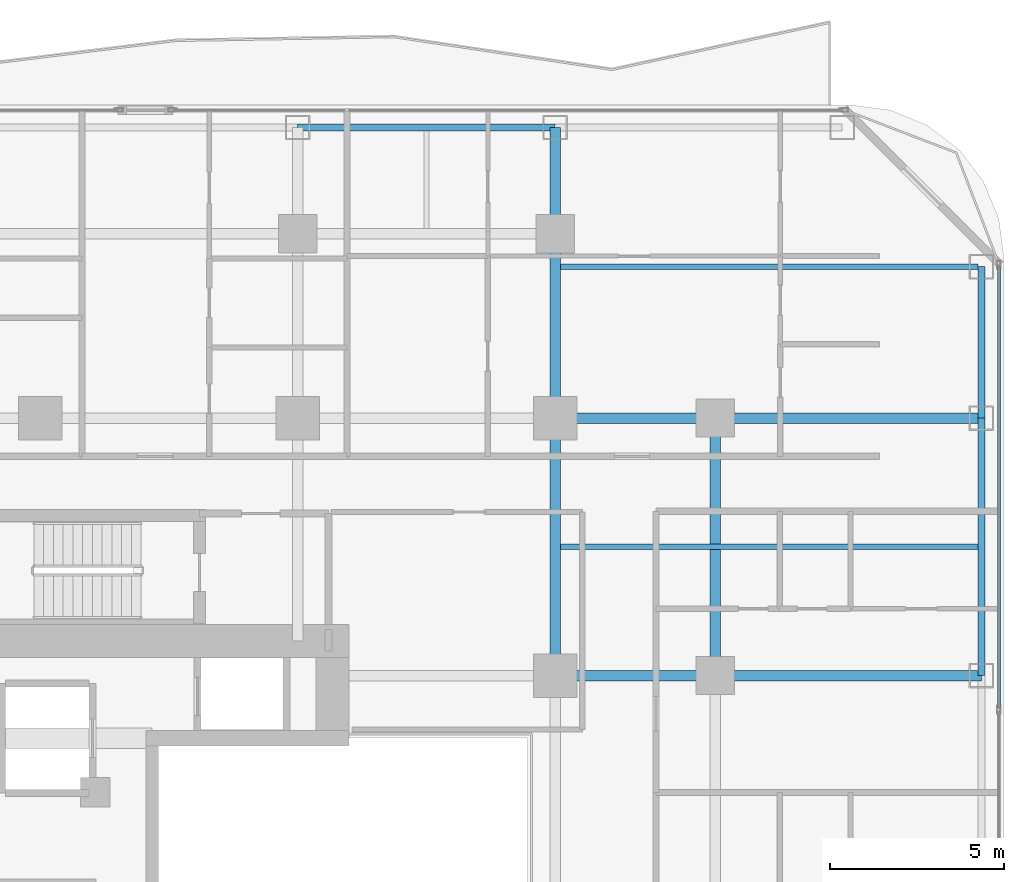
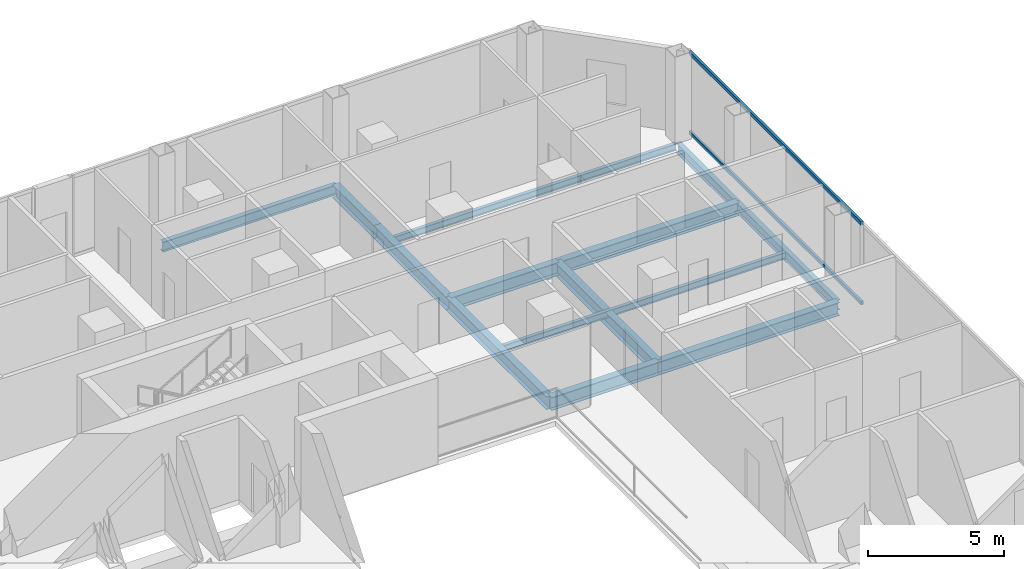
# One storey, part 16 of 29: 13 beams, 2 members, 1 element without a shape of its own.
"""IFC4 building model written with IfcOpenShell, lengths in metres."""

import ifcopenshell
import ifcopenshell.guid

model = None  # the IFC model being written
_history = None  # IfcOwnerHistory: only IFC2X3 demands one
_inside = {}  # id of a spatial element -> (the spatial element, [elements in it])
_under = {}  # id of a project, library or spatial element -> (it, [spatial elements below it])
_declared = {}  # id of a project -> (the project, [libraries it declares])
_typed = {}  # id of a type object -> (the type object, [elements of that type])
_made_of = {}  # id of a material, layer set ... -> (it, [elements and type objects made of it])


def new_model(schema):
    """Start an empty IFC model of exactly this schema.

    Asked for "IFC4X3", IfcOpenShell would pick the latest addendum, in which some entities
    have other attributes; the version numbers below select the first issue.
    IFC2X3 requires an IfcOwnerHistory on every rooted entity: one is made here for all.
    """
    global model, _history
    if schema == "IFC4X3":
        model = ifcopenshell.file(schema_version=(4, 3, 0, 0))
    else:
        model = ifcopenshell.file(schema=schema)
    _inside.clear()
    _under.clear()
    _declared.clear()
    _typed.clear()
    _made_of.clear()
    _history = None
    if model.schema == "IFC2X3":
        org = make("IfcOrganization", Name="unknown")
        user = make(
            "IfcPersonAndOrganization",
            ThePerson=make("IfcPerson", FamilyName="unknown"),
            TheOrganization=org,
        )
        app = make(
            "IfcApplication",
            ApplicationDeveloper=org,
            Version="unknown",
            ApplicationFullName="unknown",
            ApplicationIdentifier="unknown",
        )
        _history = make(
            "IfcOwnerHistory",
            OwningUser=user,
            OwningApplication=app,
            ChangeAction="ADDED",
            CreationDate=0,
        )
    return model


def make(cls, **values):
    """One entity of the class cls with the attributes given. An attribute that is None is left unset."""
    return model.create_entity(
        cls, **{name: value for name, value in values.items() if value is not None}
    )


def rooted(cls, **values):
    """An entity with a GlobalId (a new one), such as an element, a storey or a relation."""
    return make(cls, GlobalId=ifcopenshell.guid.new(), OwnerHistory=_history, **values)


def si_unit(unit_type, name, prefix=None):
    """IfcSIUnit, for example si_unit("LENGTHUNIT", "METRE", prefix="MILLI")."""
    return make("IfcSIUnit", UnitType=unit_type, Prefix=prefix, Name=name)


def assignment(units):
    """IfcUnitAssignment: the units of a project."""
    return None if units is None else make("IfcUnitAssignment", Units=units)


def point(xyz):
    """IfcCartesianPoint."""
    return None if xyz is None else make("IfcCartesianPoint", Coordinates=xyz)


def direction(xyz):
    """IfcDirection."""
    return None if xyz is None else make("IfcDirection", DirectionRatios=xyz)


def frame(location, z_axis=None, x_axis=None):
    """IfcAxis2Placement3D, a coordinate frame: its origin and axes. An axis left out is left unset."""
    return make(
        "IfcAxis2Placement3D",
        Location=point(location),
        Axis=direction(z_axis),
        RefDirection=direction(x_axis),
    )


def frame_2d(location, x_axis=None):
    """IfcAxis2Placement2D, a coordinate frame in the plane: its origin and x axis."""
    return make(
        "IfcAxis2Placement2D", Location=point(location), RefDirection=direction(x_axis)
    )


def origin():
    """The frame at (0, 0, 0) with its axes left unset."""
    return frame((0.0, 0.0, 0.0))


def origin_2d():
    """The frame at (0, 0) in the plane with its x axis left unset."""
    return frame_2d((0.0, 0.0))


def place(relative_to, where):
    """IfcLocalPlacement: puts the frame where relative to a parent placement (None: the world)."""
    return make(
        "IfcLocalPlacement", PlacementRelTo=relative_to, RelativePlacement=where
    )


def context(
    kind, dimensions, precision=None, world=None, true_north=None, identifier=None
):
    """IfcGeometricRepresentationContext, for example the 3D "Model" context."""
    return make(
        "IfcGeometricRepresentationContext",
        ContextIdentifier=identifier,
        ContextType=kind,
        CoordinateSpaceDimension=dimensions,
        Precision=precision,
        WorldCoordinateSystem=world,
        TrueNorth=true_north,
    )


def subcontext(parent, identifier, kind, view, scale=None):
    """IfcGeometricRepresentationSubContext, for example "Body" below "Model"."""
    return make(
        "IfcGeometricRepresentationSubContext",
        ContextIdentifier=identifier,
        ContextType=kind,
        ParentContext=parent,
        TargetScale=scale,
        TargetView=view,
    )


def project(units=None, contexts=None):
    """IfcProject with its units and contexts."""
    return rooted(
        "IfcProject",
        Name="project",
        RepresentationContexts=contexts,
        UnitsInContext=assignment(units),
    )


def spatial(cls, under=None, at=None, **own):
    """A site, building, storey or space (cls), placed at a placement, below another one or the project."""
    s = rooted(cls, ObjectPlacement=at, **own)
    if under is not None:
        _under.setdefault(under.id(), (under, []))[1].append(s)
    return s


def profile(cls, at=None, kind="AREA", **sizes):
    """A parametric profile (cls). Its sizes go by their IFC names, for example OverallWidth=200.0."""
    return make(cls, ProfileType=kind, Position=at, **sizes)


def hollow_rectangle(**sizes):
    """IfcRectangleHollowProfileDef."""
    return profile("IfcRectangleHollowProfileDef", **sizes)


def i_section(**sizes):
    """IfcIShapeProfileDef."""
    return profile("IfcIShapeProfileDef", **sizes)


def extrude(swept, where, along, depth):
    """IfcExtrudedAreaSolid: the profile swept, set in the frame where, extruded along a direction by depth."""
    return make(
        "IfcExtrudedAreaSolid",
        SweptArea=swept,
        Position=where,
        ExtrudedDirection=direction(along),
        Depth=depth,
    )


def shape(context_of_items, identifier, shape_type, items):
    """IfcShapeRepresentation: the items that make up one representation, for example the "Body"."""
    return make(
        "IfcShapeRepresentation",
        ContextOfItems=context_of_items,
        RepresentationIdentifier=identifier,
        RepresentationType=shape_type,
        Items=items,
    )


def material(Name=None, Category=None):
    """IfcMaterial."""
    return make("IfcMaterial", Name=Name, Category=Category)


def layer(
    of_material, thickness, ventilated=None, Name=None, Category=None, Priority=None
):
    """IfcMaterialLayer: one layer of a wall or slab, of a material (None: an air gap)."""
    return make(
        "IfcMaterialLayer",
        Material=of_material,
        LayerThickness=thickness,
        IsVentilated=ventilated,
        Name=Name,
        Category=Category,
        Priority=Priority,
    )


def layer_set(layers, Name=None):
    """IfcMaterialLayerSet."""
    return make("IfcMaterialLayerSet", MaterialLayers=layers, LayerSetName=Name)


def material_profile(
    of_material, cross_section, Name=None, Category=None, Priority=None
):
    """IfcMaterialProfile: a cross section and its material."""
    return make(
        "IfcMaterialProfile",
        Name=Name,
        Material=of_material,
        Profile=cross_section,
        Priority=Priority,
        Category=Category,
    )


def profile_set(profiles, Name=None, composite=None):
    """IfcMaterialProfileSet."""
    return make(
        "IfcMaterialProfileSet",
        Name=Name,
        MaterialProfiles=profiles,
        CompositeProfile=composite,
    )


def made_of(thing, what):
    """Note that an element or type object is made of a material, layer set ...; save() writes the relation."""
    if what is not None:
        _made_of.setdefault(what.id(), (what, []))[1].append(thing)
    return thing


def type_object(cls, material=None, **own):
    """A type object (cls), such as IfcWallType, which elements share."""
    return made_of(rooted(cls, **own), material)


def element(
    cls,
    number,
    at=None,
    inside=None,
    cuts=None,
    type_object=None,
    material=None,
    context=None,
    identifier="Body",
    shape_type=None,
    held_by="IfcProductDefinitionShape",
    body=None,
    shapes=None,
    **own,
):
    """One element of the class cls, such as IfcWall. Its Tag is "e" and its number.

    at: its placement. inside: the storey or other place that contains it. cuts: it is an
    opening in that element (IfcRelVoidsElement). A single representation is given by context,
    identifier, shape_type and body (its items); several are given by shapes. held_by: the class
    of the entity that holds the representations. save() writes the other relations.
    """
    e = rooted(cls, Tag="e%d" % number, ObjectPlacement=at, **own)
    if body is not None:
        shapes = [shape(context, identifier, shape_type, body)]
    if shapes is not None:
        e.Representation = make(held_by, Representations=shapes)
    if inside is not None:
        _inside.setdefault(inside.id(), (inside, []))[1].append(e)
    if cuts is not None:
        rooted(
            "IfcRelVoidsElement", RelatingBuildingElement=cuts, RelatedOpeningElement=e
        )
    if type_object is not None:
        _typed.setdefault(type_object.id(), (type_object, []))[1].append(e)
    return made_of(e, material)


def aggregate(whole, parts):
    """IfcRelAggregates: a whole, such as a stair, and the parts it consists of."""
    return rooted("IfcRelAggregates", RelatingObject=whole, RelatedObjects=parts)


def save(model, path):
    """Write the relations noted so far, then the file.

    IfcRelAggregates (storeys below a building ...), IfcRelContainedInSpatialStructure (elements
    in a storey), IfcRelDefinesByType, IfcRelAssociatesMaterial and IfcRelDeclares: one each for
    every whole, place, type object, material and project.
    """
    for whole, parts in _under.values():
        aggregate(whole, parts)
    for where, things in _inside.values():
        rooted(
            "IfcRelContainedInSpatialStructure",
            RelatedElements=things,
            RelatingStructure=where,
        )
    for kind, things in _typed.values():
        rooted("IfcRelDefinesByType", RelatedObjects=things, RelatingType=kind)
    for what, things in _made_of.values():
        rooted("IfcRelAssociatesMaterial", RelatedObjects=things, RelatingMaterial=what)
    for by, libraries in _declared.values():
        rooted("IfcRelDeclares", RelatingContext=by, RelatedDefinitions=libraries)
    model.write(path)


model = new_model("IFC4")

# Units and contexts
model_context = context("Model", 3, precision=1e-05, world=origin(), true_north=direction((0.0, 1.0)))
body_context = subcontext(model_context, "Body", "Model", "MODEL_VIEW")
ifc_project = project(units=[si_unit("LENGTHUNIT", "METRE"), si_unit("AREAUNIT", "SQUARE_METRE"), si_unit("VOLUMEUNIT", "CUBIC_METRE"), si_unit("PLANEANGLEUNIT", "RADIAN"), si_unit("MASSUNIT", "GRAM", prefix="KILO")], contexts=[model_context])

# Site, building, storey
site_placement = place(None, origin())
site = spatial("IfcSite", under=ifc_project, at=site_placement, CompositionType="ELEMENT")
building_placement = place(site_placement, origin())
building = spatial("IfcBuilding", under=site, at=building_placement, Name="Khorvyn Point Tower", CompositionType="ELEMENT")
storey_placement = place(building_placement, frame((0.0, 0.0, 140.699951171875)))
storey = spatial("IfcBuildingStorey", under=building, at=storey_placement, Name="L35", CompositionType="ELEMENT", Elevation=140.699951171875)

# Curtain wall, members
ifc_material_1 = material(Name="Anodised aluminium 6063-T6 and laminated Low-E glass", Category="aluminium")
ifc_layer = layer(ifc_material_1, 0.18994140625)
ifc_layer_set = layer_set([ifc_layer], Name="Stick-Built Acoustic Curtain Wall CW-SYS-03")
curtain_wall_type = type_object("IfcCurtainWallType", Name="Stick-Built Acoustic Curtain Wall CW-SYS-03", PredefinedType="NOTDEFINED", material=ifc_layer_set)
curtain_wall_placement = place(storey_placement, origin())
curtain_wall = element("IfcCurtainWall", 1, at=curtain_wall_placement, inside=storey, type_object=curtain_wall_type, Name="Curtain Wall", PredefinedType="NOTDEFINED")
ifc_material_2 = material(Name="Anodised aluminium 6063-T6", Category="aluminium")
ifc_material_profile_1 = material_profile(ifc_material_2, hollow_rectangle(XDim=0.10009765625, YDim=0.159912109375, WallThickness=0.00439453125, at=origin_2d()))
ifc_profile_set_1 = profile_set([ifc_material_profile_1], Name="Anodised aluminium 6063-T6 ALU-TRN-100x160")
member_type = type_object("IfcMemberType", Name="Anodised Aluminium 6063-T6 Transom ALU-TRN-100x160", PredefinedType="USERDEFINED", material=ifc_profile_set_1)
member_1_placement = place(storey_placement, frame((27.550048828125, 19.14990234375, 0.050048828125), z_axis=(0.0, -1.0, 0.0), x_axis=(1.0, 0.0, 0.0)))
member_1 = element("IfcMember", 2, at=member_1_placement, type_object=member_type, Name="Transom", ObjectType="TRANSOM", PredefinedType="USERDEFINED", context=body_context, shape_type="SweptSolid", body=[
    extrude(hollow_rectangle(XDim=0.10009765625, YDim=0.159912109375, WallThickness=0.00439453125, at=origin_2d()), origin(), (0.0, 0.0, 1.0), 12.683349609375),
])
member_2_placement = place(storey_placement, frame((27.550048828125, 19.14990234375, 3.630126953125), z_axis=(0.0, -1.0, 0.0), x_axis=(1.0, 0.0, 0.0)))
member_2 = element("IfcMember", 3, at=member_2_placement, type_object=member_type, Name="Transom", ObjectType="TRANSOM", PredefinedType="USERDEFINED", context=body_context, shape_type="SweptSolid", body=[
    extrude(hollow_rectangle(XDim=0.10009765625, YDim=0.159912109375, WallThickness=0.00439453125, at=origin_2d()), origin(), (0.0, 0.0, 1.0), 12.683349609375),
])
aggregate(curtain_wall, [member_1, member_2])

# Beams
ifc_material_3 = material(Name="Steel S355", Category="steel")
ifc_material_profile_2 = material_profile(ifc_material_3, i_section(OverallWidth=0.300048828125, OverallDepth=0.587890625, WebThickness=0.011962890625, FlangeThickness=0.02001953125, at=origin_2d()))
ifc_profile_set_2 = profile_set([ifc_material_profile_2], Name="Steel S355 H588x300x12x20")
beam_type_1 = type_object("IfcBeamType", Name="Steel S355 Beam H588x300x12x20", PredefinedType="BEAM", material=ifc_profile_set_2)
beam_1_placement = place(storey_placement, frame((14.800048828125, 14.800048828125, -0.513916015625), z_axis=(1.0, 0.0, 0.0), x_axis=(0.0, 1.0, 0.0)))
element("IfcBeam", 4, at=beam_1_placement, inside=storey, type_object=beam_type_1, Name="Beam", PredefinedType="BEAM", context=body_context, shape_type="SweptSolid", body=[
    extrude(i_section(OverallWidth=0.300048828125, OverallDepth=0.587890625, WebThickness=0.011962890625, FlangeThickness=0.02001953125, at=origin_2d()), origin(), (0.0, 0.0, 1.0), 4.599853515625),
])
beam_2_placement = place(storey_placement, frame((19.39990234375, 14.800048828125, -0.513916015625), z_axis=(1.0, 0.0, 0.0), x_axis=(0.0, 1.0, 0.0)))
element("IfcBeam", 5, at=beam_2_placement, inside=storey, type_object=beam_type_1, Name="Beam", PredefinedType="BEAM", context=body_context, shape_type="SweptSolid", body=[
    extrude(i_section(OverallWidth=0.300048828125, OverallDepth=0.587890625, WebThickness=0.011962890625, FlangeThickness=0.02001953125, at=origin_2d()), origin(), (0.0, 0.0, 1.0), 7.650146484375),
])
beam_3_placement = place(storey_placement, frame((14.800048828125, 7.39990234375, -0.513916015625), z_axis=(1.0, 0.0, 0.0), x_axis=(0.0, 1.0, 0.0)))
element("IfcBeam", 6, at=beam_3_placement, inside=storey, type_object=beam_type_1, Name="Beam", PredefinedType="BEAM", context=body_context, shape_type="SweptSolid", body=[
    extrude(i_section(OverallWidth=0.300048828125, OverallDepth=0.587890625, WebThickness=0.011962890625, FlangeThickness=0.02001953125, at=origin_2d()), origin(), (0.0, 0.0, 1.0), 4.599853515625),
])
beam_4_placement = place(storey_placement, frame((19.39990234375, 7.39990234375, -0.513916015625), z_axis=(1.0, 0.0, 0.0), x_axis=(0.0, 1.0, 0.0)))
element("IfcBeam", 7, at=beam_4_placement, inside=storey, type_object=beam_type_1, Name="Beam", PredefinedType="BEAM", context=body_context, shape_type="SweptSolid", body=[
    extrude(i_section(OverallWidth=0.300048828125, OverallDepth=0.587890625, WebThickness=0.011962890625, FlangeThickness=0.02001953125, at=origin_2d()), origin(), (0.0, 0.0, 1.0), 7.650146484375),
])
beam_5_placement = place(storey_placement, frame((14.800048828125, 7.39990234375, -0.513916015625), z_axis=(0.0, 1.0, 0.0), x_axis=(-1.0, 0.0, 0.0)))
element("IfcBeam", 8, at=beam_5_placement, inside=storey, type_object=beam_type_1, Name="Beam", PredefinedType="BEAM", context=body_context, shape_type="SweptSolid", body=[
    extrude(i_section(OverallWidth=0.300048828125, OverallDepth=0.587890625, WebThickness=0.011962890625, FlangeThickness=0.02001953125, at=origin_2d()), origin(), (0.0, 0.0, 1.0), 7.400146484375),
])
beam_6_placement = place(storey_placement, frame((14.800048828125, 14.800048828125, -0.513916015625), z_axis=(0.0, 1.0, 0.0), x_axis=(-1.0, 0.0, 0.0)))
element("IfcBeam", 9, at=beam_6_placement, inside=storey, type_object=beam_type_1, Name="Beam", PredefinedType="BEAM", context=body_context, shape_type="SweptSolid", body=[
    extrude(i_section(OverallWidth=0.300048828125, OverallDepth=0.587890625, WebThickness=0.011962890625, FlangeThickness=0.02001953125, at=origin_2d()), origin(), (0.0, 0.0, 1.0), 5.300048828125),
])
beam_7_placement = place(storey_placement, frame((14.800048828125, 20.10009765625, -0.513916015625), z_axis=(0.0, 1.0, 0.0), x_axis=(-1.0, 0.0, 0.0)))
element("IfcBeam", 10, at=beam_7_placement, inside=storey, type_object=beam_type_1, Name="Beam", PredefinedType="BEAM", context=body_context, shape_type="SweptSolid", body=[
    extrude(i_section(OverallWidth=0.300048828125, OverallDepth=0.587890625, WebThickness=0.011962890625, FlangeThickness=0.02001953125, at=origin_2d()), origin(), (0.0, 0.0, 1.0), 3.0498046875),
])
beam_8_placement = place(storey_placement, frame((19.39990234375, 7.39990234375, -0.513916015625), z_axis=(0.0, 1.0, 0.0), x_axis=(-1.0, 0.0, 0.0)))
element("IfcBeam", 11, at=beam_8_placement, inside=storey, type_object=beam_type_1, Name="Beam", PredefinedType="BEAM", context=body_context, shape_type="SweptSolid", body=[
    extrude(i_section(OverallWidth=0.300048828125, OverallDepth=0.587890625, WebThickness=0.011962890625, FlangeThickness=0.02001953125, at=origin_2d()), origin(), (0.0, 0.0, 1.0), 7.400146484375),
])
ifc_material_profile_3 = material_profile(ifc_material_3, i_section(OverallWidth=0.14990234375, OverallDepth=0.300048828125, WebThickness=0.006591796875, FlangeThickness=0.009033203125, at=origin_2d()))
ifc_profile_set_3 = profile_set([ifc_material_profile_3], Name="Steel S355 H300x150x6.5x9")
beam_type_2 = type_object("IfcBeamType", Name="Steel S355 Joist H300x150x6.5x9", PredefinedType="JOIST", material=ifc_profile_set_3)
for number, where, z_axis, x_axis, name in (
    (12, (14.949951171875, 11.10009765625, -0.369873046875), (1.0, 0.0, 0.0), (0.0, 1.0, 0.0), "Beam"),
    (13, (14.949951171875, 19.14990234375, -0.369873046875), (1.0, 0.0, 0.0), (0.0, 1.0, 0.0), "Beam"),
):
    element("IfcBeam", number, at=place(storey_placement, frame(where, z_axis=z_axis, x_axis=x_axis)), inside=storey, type_object=beam_type_2, Name=name, PredefinedType="JOIST", context=body_context, shape_type="SweptSolid", body=[
        extrude(i_section(OverallWidth=0.14990234375, OverallDepth=0.300048828125, WebThickness=0.006591796875, FlangeThickness=0.009033203125, at=origin_2d()), origin(), (0.0, 0.0, 1.0), 12.0),
    ])
ifc_material_profile_4 = material_profile(ifc_material_3, i_section(OverallWidth=0.199951171875, OverallDepth=0.449951171875, WebThickness=0.009033203125, FlangeThickness=0.013916015625, at=origin_2d()))
ifc_profile_set_4 = profile_set([ifc_material_profile_4], Name="Steel S355 H450x200x9x14")
beam_type_3 = type_object("IfcBeamType", Name="Steel S355 Spandrel H450x200x9x14", PredefinedType="SPANDREL", material=ifc_profile_set_4)
for number, where, z_axis, x_axis, name in (
    (14, (7.39990234375, 23.14990234375, -0.445068359375), (1.0, 0.0, 0.0), (0.0, 1.0, 0.0), "Beam"),
    (15, (27.050048828125, 7.39990234375, -0.445068359375), (0.0, 1.0, 0.0), (-1.0, 0.0, 0.0), "Beam"),
):
    element("IfcBeam", number, at=place(storey_placement, frame(where, z_axis=z_axis, x_axis=x_axis)), inside=storey, type_object=beam_type_3, Name=name, PredefinedType="SPANDREL", context=body_context, shape_type="SweptSolid", body=[
        extrude(i_section(OverallWidth=0.199951171875, OverallDepth=0.449951171875, WebThickness=0.009033203125, FlangeThickness=0.013916015625, at=origin_2d()), origin(), (0.0, 0.0, 1.0), 7.400146484375),
    ])
beam_9_placement = place(storey_placement, frame((27.050048828125, 14.800048828125, -0.445068359375), z_axis=(0.0, 1.0, 0.0), x_axis=(-1.0, 0.0, 0.0)))
element("IfcBeam", 16, at=beam_9_placement, inside=storey, type_object=beam_type_3, Name="Beam", PredefinedType="SPANDREL", context=body_context, shape_type="SweptSolid", body=[
    extrude(i_section(OverallWidth=0.199951171875, OverallDepth=0.449951171875, WebThickness=0.009033203125, FlangeThickness=0.013916015625, at=origin_2d()), origin(), (0.0, 0.0, 1.0), 4.349853515625),
])

save(model, "model.ifc")
